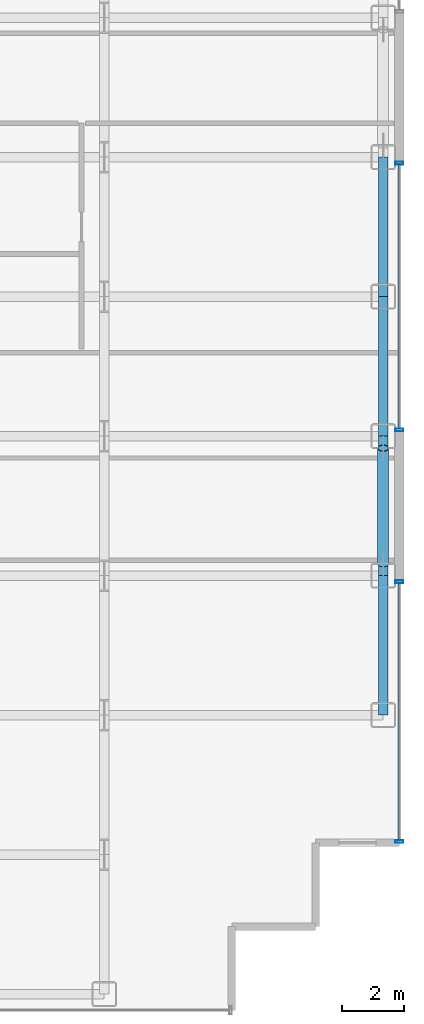
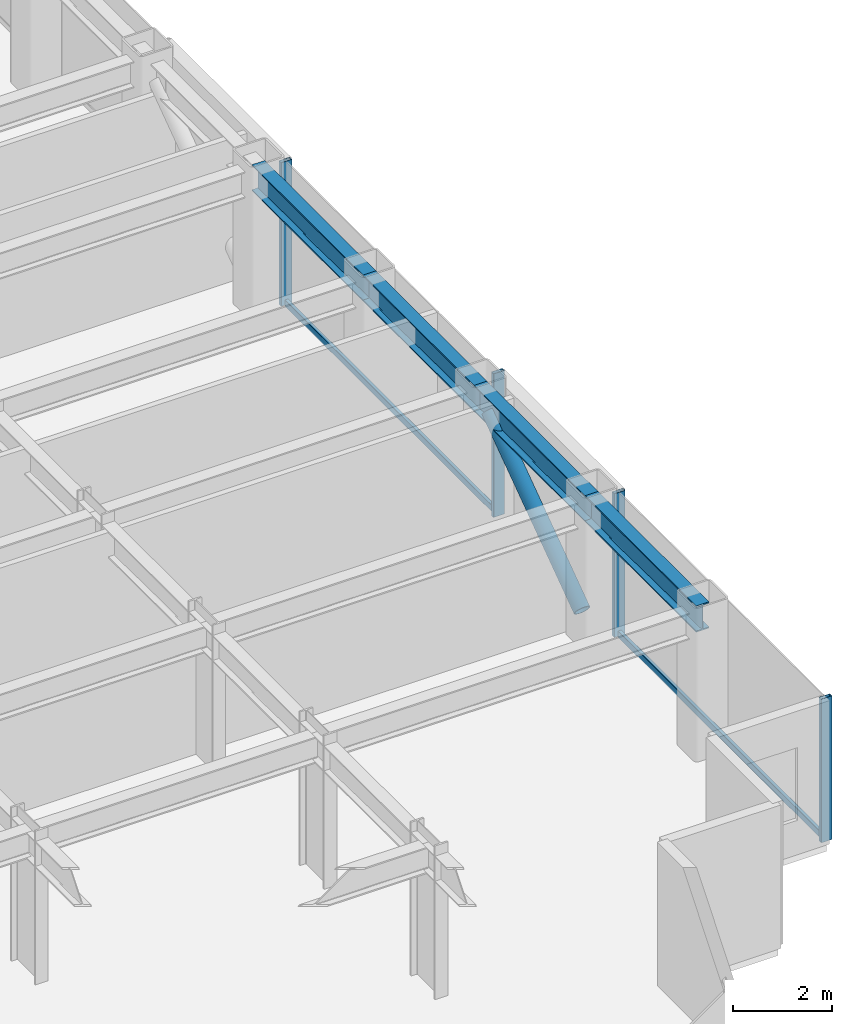
# One storey, part 18 of 29: 7 members, 4 beams, 2 elements without a shape of their own.
"""IFC4 building model written with IfcOpenShell, lengths in metres."""

from ifc_helpers import new_model, si_unit, direction, frame, origin, origin_2d, place, context, subcontext, project, spatial, hollow_rectangle, hollow_circle, i_section, extrude, source, transform, mapped, material, layer, layer_set, material_profile, profile_set, type_object, element, aggregate, save


model = new_model("IFC4")

# Units and contexts
model_context = context("Model", 3, precision=1e-05, world=origin(), true_north=direction((0.0, 1.0)))
body_context = subcontext(model_context, "Body", "Model", "MODEL_VIEW")
ifc_project = project(units=[si_unit("LENGTHUNIT", "METRE"), si_unit("AREAUNIT", "SQUARE_METRE"), si_unit("VOLUMEUNIT", "CUBIC_METRE"), si_unit("PLANEANGLEUNIT", "RADIAN"), si_unit("MASSUNIT", "GRAM", prefix="KILO")], contexts=[model_context])

# Site, building, storey
site_placement = place(None, origin())
site = spatial("IfcSite", under=ifc_project, at=site_placement, CompositionType="ELEMENT")
building_placement = place(site_placement, origin())
building = spatial("IfcBuilding", under=site, at=building_placement, Name="Nefas-Gora Pilgrimage Tower", CompositionType="ELEMENT")
storey_placement = place(building_placement, frame((0.0, 0.0, 136.39990234375)))
storey = spatial("IfcBuildingStorey", under=building, at=storey_placement, Name="L33", CompositionType="ELEMENT", Elevation=136.39990234375)

# Beams
ifc_material_1 = material(Name="Steel S355", Category="steel")
ifc_material_profile_1 = material_profile(ifc_material_1, i_section(OverallWidth=0.300048828125, OverallDepth=0.64990234375, WebThickness=0.01611328125, FlangeThickness=0.031005859375, FilletRadius=0.027099609375, at=origin_2d()), Name="HEB 650")
ifc_profile_set_1 = profile_set([ifc_material_profile_1], Name="Steel S355")
beam_type = type_object("IfcBeamType", Name="BM-SPN-HEB500", PredefinedType="SPANDREL", material=ifc_profile_set_1)
shared_shape_1 = source(origin(), body_context, "Body", "SweptSolid", [
    extrude(i_section(OverallWidth=0.300048828125, OverallDepth=0.64990234375, WebThickness=0.01611328125, FlangeThickness=0.031005859375, FilletRadius=0.027099609375, at=origin_2d()), origin(), (0.0, 0.0, 1.0), 4.5),
])
for number, where, z_axis, x_axis, name in (
    (1, (33.75, -13.5, 3.22509765625), (0.0, 1.0, 0.0), (-1.0, 0.0, 0.0), "L33 SP-02 beam"),
    (2, (33.75, -9.0, 3.22509765625), (0.0, 1.0, 0.0), (-1.0, 0.0, 0.0), "L33 SP-02 beam"),
    (3, (33.75, -4.5, 3.22509765625), (0.0, 1.0, 0.0), (-1.0, 0.0, 0.0), "L33 SP-02 beam"),
    (4, (33.75, 0.0, 3.22509765625), (0.0, 1.0, 0.0), (-1.0, 0.0, 0.0), "L33 SP-02 beam"),
):
    element("IfcBeam", number, at=place(storey_placement, frame(where, z_axis=z_axis, x_axis=x_axis)), inside=storey, type_object=beam_type, Name=name, PredefinedType="SPANDREL", context=body_context, shape_type="MappedRepresentation", body=[
        mapped(shared_shape_1, transform((0.0, 0.0, 0.0), x_axis=(1.0, 0.0, 0.0), y_axis=(0.0, 1.0, 0.0), z_axis=(0.0, 0.0, 1.0), scale=1.0)),
    ])

# Member
ifc_material_2 = material(Name="Steel S460", Category="steel")
ifc_material_profile_2 = material_profile(ifc_material_2, hollow_circle(Radius=0.177734375, WallThickness=0.02001953125, at=origin_2d()), Name="CHS 355.6x20")
ifc_profile_set_2 = profile_set([ifc_material_profile_2], Name="Steel S460")
member_type_1 = type_object("IfcMemberType", Name="MEM-TUBE-356", PredefinedType="BRACE", material=ifc_profile_set_2)
shared_shape_2 = source(origin(), body_context, "Body", "SweptSolid", [
    extrude(hollow_circle(Radius=0.177734375, WallThickness=0.02001953125, at=origin_2d()), origin(), (0.0, 0.0, 1.0), 4.579345703125),
])
member_1_placement = place(storey_placement, frame((33.75, -8.612060546875, 0.427734375), z_axis=(0.0, 0.813246879171, 0.581918820385), x_axis=(-1.0, 0.0, 0.0)))
element("IfcMember", 5, at=member_1_placement, inside=storey, type_object=member_type_1, Name="L33 Perimeter Tube Diagonal Brace E1", PredefinedType="BRACE", context=body_context, shape_type="MappedRepresentation", body=[
    mapped(shared_shape_2, transform((0.0, 0.0, 0.0), x_axis=(1.0, 0.0, 0.0), y_axis=(0.0, 1.0, 0.0), z_axis=(0.0, 0.0, 1.0), scale=1.0)),
])

# Curtain wall, members
ifc_material_3 = material(Name="Dark ceramic-fritted solar-control aluminium-glass curtain wall", Category="aluminium")
ifc_layer = layer(ifc_material_3, 0.219970703125)
ifc_layer_set = layer_set([ifc_layer], Name="Dark ceramic-fritted solar-control aluminium-glass curtain wall")
curtain_wall_type = type_object("IfcCurtainWallType", Name="CW-SYS-2", PredefinedType="NOTDEFINED", material=ifc_layer_set)
curtain_wall_1_placement = place(storey_placement, origin())
curtain_wall_1 = element("IfcCurtainWall", 6, at=curtain_wall_1_placement, inside=storey, type_object=curtain_wall_type, Name="L33 Unitised Curtain Wall CW2", PredefinedType="NOTDEFINED")
ifc_material_4 = material(Name="Anodised architectural aluminium", Category="aluminium")
ifc_material_profile_3 = material_profile(ifc_material_4, hollow_rectangle(XDim=0.090087890625, YDim=0.260009765625, WallThickness=0.006103515625, InnerFilletRadius=0.006103515625, OuterFilletRadius=0.011962890625, at=origin_2d()), Name="ALU MULLION 90x260")
ifc_profile_set_3 = profile_set([ifc_material_profile_3], Name="Anodised architectural aluminium")
member_type_2 = type_object("IfcMemberType", Name="CWM-MUL-2", PredefinedType="MULLION", material=ifc_profile_set_3)
shared_shape_3 = source(origin(), body_context, "Body", "SweptSolid", [
    extrude(hollow_rectangle(XDim=0.090087890625, YDim=0.260009765625, WallThickness=0.006103515625, InnerFilletRadius=0.006103515625, OuterFilletRadius=0.011962890625, at=origin_2d()), origin(), (0.0, 0.0, 1.0), 3.550048828125),
])
member_2_placement = place(storey_placement, frame((34.27001953125, -17.574951171875, 0.0), z_axis=(0.0, 0.0, 1.0), x_axis=(0.0, 1.0, 0.0)))
member_2 = element("IfcMember", 7, at=member_2_placement, type_object=member_type_2, Name="CW2 Mullion 1", PredefinedType="MULLION", context=body_context, shape_type="MappedRepresentation", body=[
    mapped(shared_shape_3, transform((0.0, 0.0, 0.0), x_axis=(1.0, 0.0, 0.0), y_axis=(0.0, 1.0, 0.0), z_axis=(0.0, 0.0, 1.0), scale=1.0)),
])
member_3_placement = place(storey_placement, frame((34.27001953125, -9.195068359375, 0.0), z_axis=(0.0, 0.0, 1.0), x_axis=(0.0, 1.0, 0.0)))
member_3 = element("IfcMember", 8, at=member_3_placement, type_object=member_type_2, Name="CW2 Mullion 2", PredefinedType="MULLION", context=body_context, shape_type="MappedRepresentation", body=[
    mapped(shared_shape_3, transform((0.0, 0.0, 0.0), x_axis=(1.0, 0.0, 0.0), y_axis=(0.0, 1.0, 0.0), z_axis=(0.0, 0.0, 1.0), scale=1.0)),
])

curtain_wall_2_placement = place(storey_placement, origin())
curtain_wall_2 = element("IfcCurtainWall", 9, at=curtain_wall_2_placement, inside=storey, type_object=curtain_wall_type, Name="L33 Unitised Curtain Wall CW2", PredefinedType="NOTDEFINED")
member_4_placement = place(storey_placement, frame((34.27001953125, -4.304931640625, 0.0), z_axis=(0.0, 0.0, 1.0), x_axis=(0.0, 1.0, 0.0)))
member_4 = element("IfcMember", 10, at=member_4_placement, type_object=member_type_2, Name="CW2 Mullion 1", PredefinedType="MULLION", context=body_context, shape_type="MappedRepresentation", body=[
    mapped(shared_shape_3, transform((0.0, 0.0, 0.0), x_axis=(1.0, 0.0, 0.0), y_axis=(0.0, 1.0, 0.0), z_axis=(0.0, 0.0, 1.0), scale=1.0)),
])
member_5_placement = place(storey_placement, frame((34.27001953125, 4.304931640625, 0.0), z_axis=(0.0, 0.0, 1.0), x_axis=(0.0, 1.0, 0.0)))
member_5 = element("IfcMember", 11, at=member_5_placement, type_object=member_type_2, Name="CW2 Mullion 2", PredefinedType="MULLION", context=body_context, shape_type="MappedRepresentation", body=[
    mapped(shared_shape_3, transform((0.0, 0.0, 0.0), x_axis=(1.0, 0.0, 0.0), y_axis=(0.0, 1.0, 0.0), z_axis=(0.0, 0.0, 1.0), scale=1.0)),
])

# Member
ifc_material_profile_4 = material_profile(ifc_material_4, hollow_rectangle(XDim=0.080078125, YDim=0.159912109375, WallThickness=0.00439453125, InnerFilletRadius=0.00439453125, OuterFilletRadius=0.009033203125, at=origin_2d()), Name="ALU TRANSOM 80x160")
ifc_profile_set_4 = profile_set([ifc_material_profile_4], Name="Anodised architectural aluminium")
member_type_3 = type_object("IfcMemberType", Name="CWM-TRN-2", PredefinedType="USERDEFINED", material=ifc_profile_set_4)
shared_shape_4 = source(origin(), body_context, "Body", "SweptSolid", [
    extrude(hollow_rectangle(XDim=0.080078125, YDim=0.159912109375, WallThickness=0.00439453125, InnerFilletRadius=0.00439453125, OuterFilletRadius=0.009033203125, at=origin_2d()), origin(), (0.0, 0.0, 1.0), 8.2900390625),
])
member_6_placement = place(storey_placement, frame((34.27001953125, -17.530029296875, 0.050048828125), z_axis=(0.0, 1.0, 0.0), x_axis=(-1.0, 0.0, 0.0)))
member_6 = element("IfcMember", 12, at=member_6_placement, type_object=member_type_3, Name="CW2 Spandrel Transom", ObjectType="TRANSOM", PredefinedType="USERDEFINED", context=body_context, shape_type="MappedRepresentation", body=[
    mapped(shared_shape_4, transform((0.0, 0.0, 0.0), x_axis=(1.0, 0.0, 0.0), y_axis=(0.0, 1.0, 0.0), z_axis=(0.0, 0.0, 1.0), scale=1.0)),
])

aggregate(curtain_wall_1, [member_2, member_3, member_6])

shared_shape_5 = source(origin(), body_context, "Body", "SweptSolid", [
    extrude(hollow_rectangle(XDim=0.080078125, YDim=0.159912109375, WallThickness=0.00439453125, InnerFilletRadius=0.00439453125, OuterFilletRadius=0.009033203125, at=origin_2d()), origin(), (0.0, 0.0, 1.0), 8.52001953125),
])
member_7_placement = place(storey_placement, frame((34.27001953125, -4.260009765625, 0.050048828125), z_axis=(0.0, 1.0, 0.0), x_axis=(-1.0, 0.0, 0.0)))
member_7 = element("IfcMember", 13, at=member_7_placement, type_object=member_type_3, Name="CW2 Spandrel Transom", ObjectType="TRANSOM", PredefinedType="USERDEFINED", context=body_context, shape_type="MappedRepresentation", body=[
    mapped(shared_shape_5, transform((0.0, 0.0, 0.0), x_axis=(1.0, 0.0, 0.0), y_axis=(0.0, 1.0, 0.0), z_axis=(0.0, 0.0, 1.0), scale=1.0)),
])

aggregate(curtain_wall_2, [member_4, member_5, member_7])

save(model, "model.ifc")
